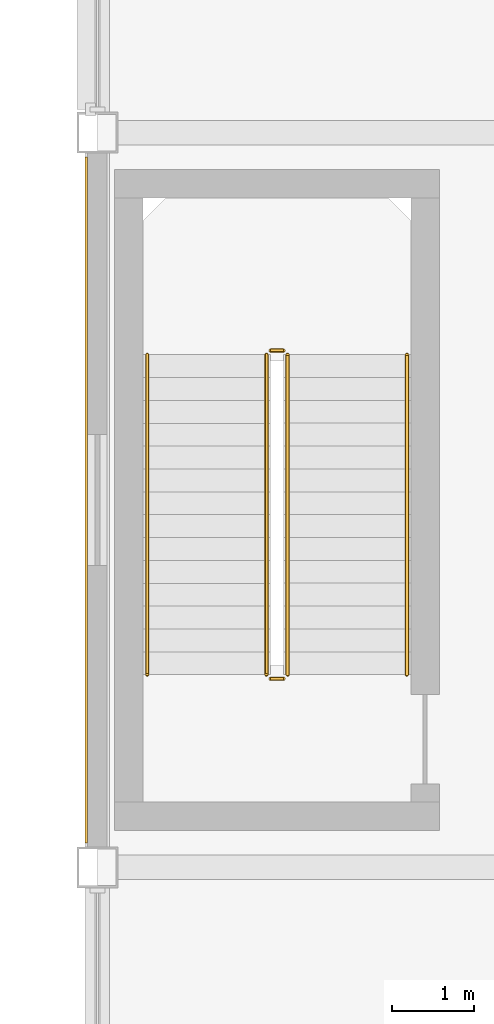
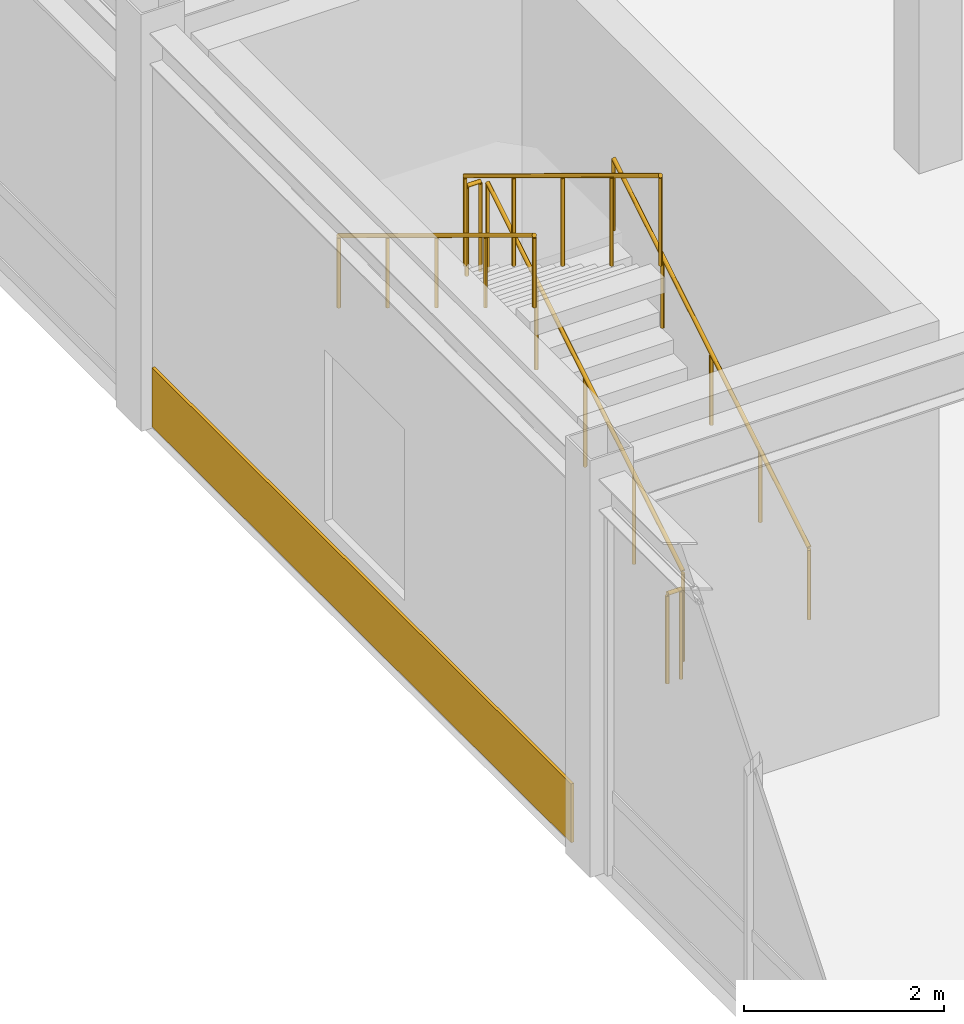
# One storey, part 121 of 123: 6 railings, 1 covering.
"""IFC4 building model written with IfcOpenShell, lengths in metres."""

from ifc_helpers import new_model, si_unit, direction, frame, origin, origin_2d, place, context, subcontext, project, spatial, rectangle, circle, extrude, material, layer, layer_set, type_object, element, save


model = new_model("IFC4")

# Units and contexts
model_context = context("Model", 3, precision=1e-05, world=origin(), true_north=direction((0.0, 1.0)))
body_context = subcontext(model_context, "Body", "Model", "MODEL_VIEW")
ifc_project = project(units=[si_unit("LENGTHUNIT", "METRE"), si_unit("AREAUNIT", "SQUARE_METRE"), si_unit("VOLUMEUNIT", "CUBIC_METRE"), si_unit("PLANEANGLEUNIT", "RADIAN"), si_unit("MASSUNIT", "GRAM", prefix="KILO")], contexts=[model_context])

# Site, building, storey
site_placement = place(None, origin())
site = spatial("IfcSite", under=ifc_project, at=site_placement, CompositionType="ELEMENT")
building_placement = place(site_placement, origin())
building = spatial("IfcBuilding", under=site, at=building_placement, Name="Suzunagisa Mobility Hub", CompositionType="ELEMENT")
storey_placement = place(building_placement, origin())
storey = spatial("IfcBuildingStorey", under=building, at=storey_placement, Name="L00", CompositionType="ELEMENT", Elevation=0.0)

# Railings
ifc_material_1 = material(Name="Stainless Steel SUS304", Category="metal")
railing_type_1 = type_object("IfcRailingType", Name="Interior Well Guardrail IGR-01", PredefinedType="GUARDRAIL", material=ifc_material_1)
railing_1_placement = place(storey_placement, frame((146.330078125, 91.360107421875, 0.169921875)))
element("IfcRailing", 1, at=railing_1_placement, inside=storey, type_object=railing_type_1, Name="L00 ST-12 stair guard 1", PredefinedType="GUARDRAIL", context=body_context, shape_type="SweptSolid", body=[
    extrude(circle(Radius=0.02392578125, at=origin_2d()), frame((0.0, 0.0, 1.09619140625), z_axis=(0.0, 0.854770645689, 0.519005918337), x_axis=(-1.0, 0.0, 0.0)), (0.0, 0.0, 1.0), 4.5859375),
    extrude(circle(Radius=0.02099609375, at=origin_2d()), origin(), (0.0, 0.0, 1.0), 1.072021484375),
    extrude(circle(Radius=0.02099609375, at=origin_2d()), frame((0.0, 0.97998046875, 0.594970703125)), (0.0, 0.0, 1.0), 1.072021484375),
    extrude(circle(Radius=0.02099609375, at=origin_2d()), frame((0.0, 1.9599609375, 1.18994140625)), (0.0, 0.0, 1.0), 1.072021484375),
    extrude(circle(Radius=0.02099609375, at=origin_2d()), frame((0.0, 2.93994140625, 1.78515625)), (0.0, 0.0, 1.0), 1.072021484375),
    extrude(circle(Radius=0.02099609375, at=origin_2d()), frame((0.0, 3.919921875, 2.380126953125)), (0.0, 0.0, 1.0), 1.072021484375),
])
railing_2_placement = place(storey_placement, frame((146.280029296875, 95.330078125, 2.550048828125)))
element("IfcRailing", 2, at=railing_2_placement, inside=storey, type_object=railing_type_1, Name="L00 ST-12 stair guard 2", PredefinedType="GUARDRAIL", context=body_context, shape_type="SweptSolid", body=[
    extrude(circle(Radius=0.02392578125, at=origin_2d()), frame((0.0, 0.0, 1.09619140625), z_axis=(-1.0, 0.0, 0.0), x_axis=(0.0, -1.0, 0.0)), (0.0, 0.0, 1.0), 0.159912109375),
    extrude(circle(Radius=0.02099609375, at=origin_2d()), origin(), (0.0, 0.0, 1.0), 1.072021484375),
    extrude(circle(Radius=0.02099609375, at=origin_2d()), frame((-0.159912109375, 0.0, 0.0)), (0.0, 0.0, 1.0), 1.072021484375),
])
railing_3_placement = place(storey_placement, frame((146.070068359375, 95.280029296875, 2.719970703125)))
element("IfcRailing", 3, at=railing_3_placement, inside=storey, type_object=railing_type_1, Name="L00 ST-12 stair guard 3", PredefinedType="GUARDRAIL", context=body_context, shape_type="SweptSolid", body=[
    extrude(circle(Radius=0.02392578125, at=origin_2d()), frame((0.0, 0.0, 1.09619140625), z_axis=(0.0, -0.854770645689, 0.519005918337), x_axis=(1.0, 0.0, 0.0)), (0.0, 0.0, 1.0), 4.5859375),
    extrude(circle(Radius=0.02099609375, at=origin_2d()), origin(), (0.0, 0.0, 1.0), 1.072021484375),
    extrude(circle(Radius=0.02099609375, at=origin_2d()), frame((0.0, -0.97998046875, 0.594970703125)), (0.0, 0.0, 1.0), 1.072021484375),
    extrude(circle(Radius=0.02099609375, at=origin_2d()), frame((0.0, -1.9599609375, 1.18994140625)), (0.0, 0.0, 1.0), 1.072021484375),
    extrude(circle(Radius=0.02099609375, at=origin_2d()), frame((0.0, -2.93994140625, 1.78515625)), (0.0, 0.0, 1.0), 1.072021484375),
    extrude(circle(Radius=0.02099609375, at=origin_2d()), frame((0.0, -3.919921875, 2.380126953125)), (0.0, 0.0, 1.0), 1.072021484375),
])
railing_4_placement = place(storey_placement, frame((146.280029296875, 91.31005859375, 0.0)))
element("IfcRailing", 4, at=railing_4_placement, inside=storey, type_object=railing_type_1, Name="L00 ST-12 stair guard 4", PredefinedType="GUARDRAIL", context=body_context, shape_type="SweptSolid", body=[
    extrude(circle(Radius=0.02392578125, at=origin_2d()), frame((0.0, 0.0, 1.09619140625), z_axis=(-1.0, 0.0, 0.0), x_axis=(0.0, -1.0, 0.0)), (0.0, 0.0, 1.0), 0.159912109375),
    extrude(circle(Radius=0.02099609375, at=origin_2d()), origin(), (0.0, 0.0, 1.0), 1.072021484375),
    extrude(circle(Radius=0.02099609375, at=origin_2d()), frame((-0.159912109375, 0.0, 0.0)), (0.0, 0.0, 1.0), 1.072021484375),
])

# Covering
ifc_material_2 = material(Name="Vitreous Porcelain Enamel Aluminum Cladding", Category="aluminium")
ifc_layer = layer(ifc_material_2, 0.034912109375)
ifc_layer_set = layer_set([ifc_layer], Name="Vitreous Porcelain Enamel Aluminum Cladding")
covering_type = type_object("IfcCoveringType", Name="Porcelain Enamel Spandrel Cladding Band CLD-01", PredefinedType="CLADDING", material=ifc_layer_set)
covering_placement = place(storey_placement, frame((143.862548828125, 93.5, 0.06005859375), z_axis=(0.0, 0.0, 1.0), x_axis=(0.0, -1.0, 0.0)))
element("IfcCovering", 5, at=covering_placement, inside=storey, type_object=covering_type, Name="L00 Porcelain Spandrel Cladding Band CLD-38", PredefinedType="CLADDING", context=body_context, shape_type="SweptSolid", body=[
    extrude(rectangle(XDim=8.39990234375, YDim=0.034912109375, at=origin_2d()), origin(), (0.0, 0.0, 1.0), 0.719970703125),
])

# Railings
railing_type_2 = type_object("IfcRailingType", Name="Tubular Stainless Stair Handrail IHR-01", PredefinedType="HANDRAIL", material=ifc_material_1)
railing_5_placement = place(storey_placement, frame((147.7900390625, 91.360107421875, 0.169921875)))
element("IfcRailing", 6, at=railing_5_placement, inside=storey, type_object=railing_type_2, Name="L00 ST-12 stair handrail 1", PredefinedType="HANDRAIL", context=body_context, shape_type="SweptSolid", body=[
    extrude(circle(Radius=0.02392578125, at=origin_2d()), frame((0.0, 0.0, 0.8759765625), z_axis=(0.0, 0.854770645689, 0.519005918337), x_axis=(-1.0, 0.0, 0.0)), (0.0, 0.0, 1.0), 4.5859375),
    extrude(circle(Radius=0.02099609375, at=origin_2d()), origin(), (0.0, 0.0, 1.0), 0.851806640625),
    extrude(circle(Radius=0.02099609375, at=origin_2d()), frame((0.0, 0.97998046875, 0.594970703125)), (0.0, 0.0, 1.0), 0.851806640625),
    extrude(circle(Radius=0.02099609375, at=origin_2d()), frame((0.0, 1.9599609375, 1.18994140625)), (0.0, 0.0, 1.0), 0.851806640625),
    extrude(circle(Radius=0.02099609375, at=origin_2d()), frame((0.0, 2.93994140625, 1.78515625)), (0.0, 0.0, 1.0), 0.851806640625),
    extrude(circle(Radius=0.02099609375, at=origin_2d()), frame((0.0, 3.919921875, 2.380126953125)), (0.0, 0.0, 1.0), 0.851806640625),
])
railing_6_placement = place(storey_placement, frame((144.610107421875, 95.280029296875, 2.719970703125)))
element("IfcRailing", 7, at=railing_6_placement, inside=storey, type_object=railing_type_2, Name="L00 ST-12 stair handrail 2", PredefinedType="HANDRAIL", context=body_context, shape_type="SweptSolid", body=[
    extrude(circle(Radius=0.02392578125, at=origin_2d()), frame((0.0, 0.0, 0.8759765625), z_axis=(0.0, -0.854770645689, 0.519005918337), x_axis=(1.0, 0.0, 0.0)), (0.0, 0.0, 1.0), 4.5859375),
    extrude(circle(Radius=0.02099609375, at=origin_2d()), origin(), (0.0, 0.0, 1.0), 0.851806640625),
    extrude(circle(Radius=0.02099609375, at=origin_2d()), frame((0.0, -0.97998046875, 0.594970703125)), (0.0, 0.0, 1.0), 0.851806640625),
    extrude(circle(Radius=0.02099609375, at=origin_2d()), frame((0.0, -1.9599609375, 1.18994140625)), (0.0, 0.0, 1.0), 0.851806640625),
    extrude(circle(Radius=0.02099609375, at=origin_2d()), frame((0.0, -2.93994140625, 1.78515625)), (0.0, 0.0, 1.0), 0.851806640625),
    extrude(circle(Radius=0.02099609375, at=origin_2d()), frame((0.0, -3.919921875, 2.380126953125)), (0.0, 0.0, 1.0), 0.851806640625),
])

save(model, "model.ifc")
